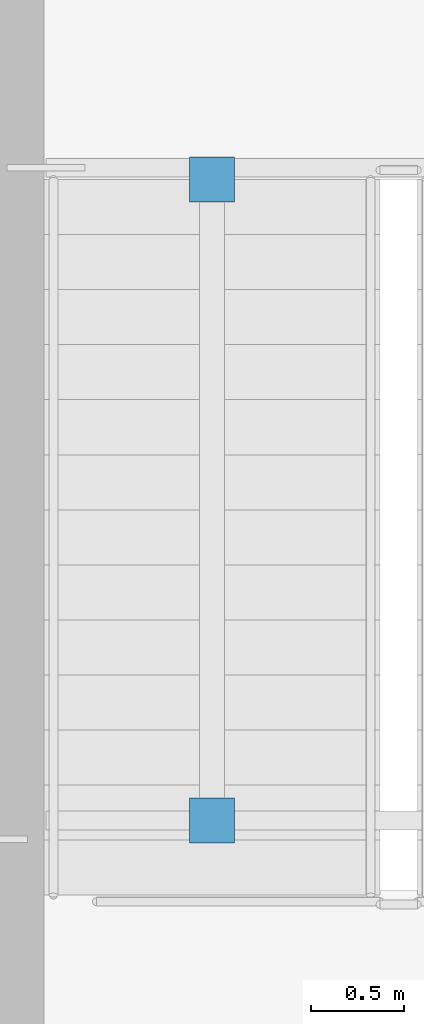
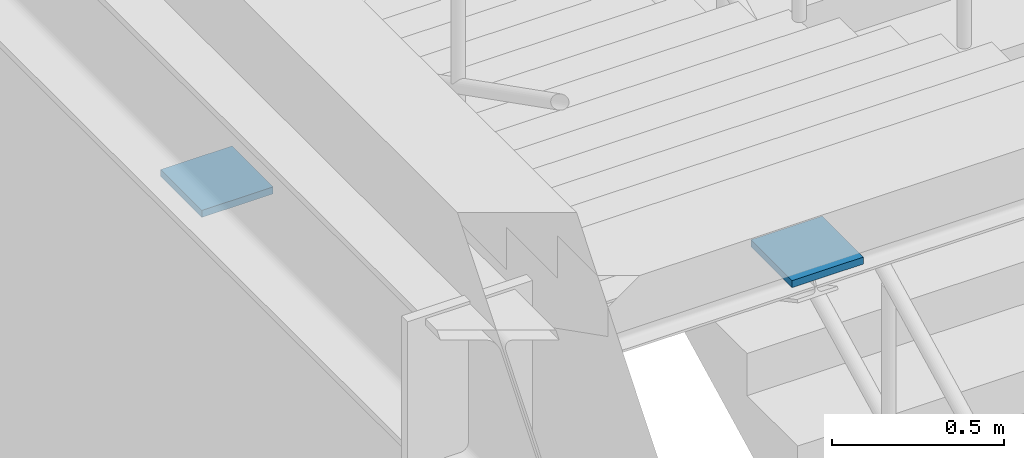
# One storey, part 104 of 122: 2 discrete accessories.
"""IFC4 building model written with IfcOpenShell, lengths in metres."""

from ifc_helpers import new_model, si_unit, direction, frame, origin, origin_2d, place, context, subcontext, project, spatial, rectangle, extrude, material, type_object, element, save


model = new_model("IFC4")

# Units and contexts
model_context = context("Model", 3, precision=1e-05, world=origin(), true_north=direction((0.0, 1.0)))
body_context = subcontext(model_context, "Body", "Model", "MODEL_VIEW")
ifc_project = project(units=[si_unit("LENGTHUNIT", "METRE"), si_unit("AREAUNIT", "SQUARE_METRE"), si_unit("VOLUMEUNIT", "CUBIC_METRE"), si_unit("PLANEANGLEUNIT", "RADIAN"), si_unit("MASSUNIT", "GRAM", prefix="KILO")], contexts=[model_context])

# Site, building, storey
site_placement = place(None, origin())
site = spatial("IfcSite", under=ifc_project, at=site_placement, CompositionType="ELEMENT")
building_placement = place(site_placement, origin())
building = spatial("IfcBuilding", under=site, at=building_placement, Name="Sundkrona Museum", CompositionType="ELEMENT")
storey_placement = place(building_placement, frame((0.0, 0.0, 5.39990234375)))
storey = spatial("IfcBuildingStorey", under=building, at=storey_placement, Name="L01", CompositionType="ELEMENT", Elevation=5.39990234375)

# Discrete accessories
ifc_material = material(Name="Stainless Steel EN 1.4404 Cleat", Category="steel")
discrete_accessory_type = type_object("IfcDiscreteAccessoryType", Name="BRK-FIN-01", PredefinedType="BRACKET", material=ifc_material)
for number, where, z_axis, x_axis, name in (
    (1, (121.199951171875, 11.534912109375, 1.767578125), (0.0, 0.0, 1.0), (1.0, 0.0, 0.0), "Brace and Strut End Connection Plate RK-ST-ST-2-L01-2-1"),
    (2, (121.199951171875, 8.10009765625, 3.60107421875), (0.0, 0.0, 1.0), (1.0, 0.0, 0.0), "Brace and Strut End Connection Plate RK-ST-ST-2-L01-2-2"),
):
    element("IfcDiscreteAccessory", number, at=place(storey_placement, frame(where, z_axis=z_axis, x_axis=x_axis)), inside=storey, type_object=discrete_accessory_type, Name=name, PredefinedType="BRACKET", context=body_context, shape_type="SweptSolid", body=[
        extrude(rectangle(XDim=0.239990234375, YDim=0.239990234375, at=origin_2d()), origin(), (0.0, 0.0, 1.0), 0.02490234375),
    ])

save(model, "model.ifc")
